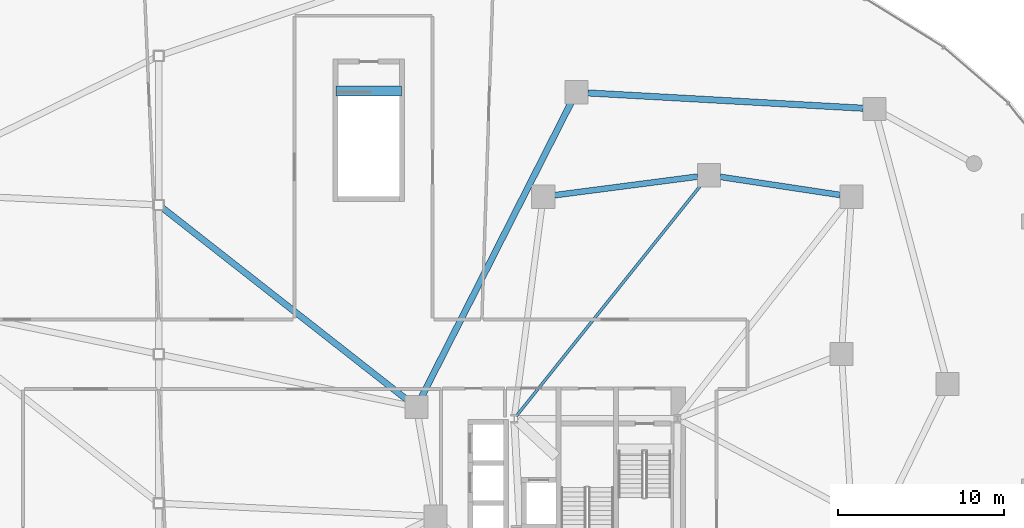
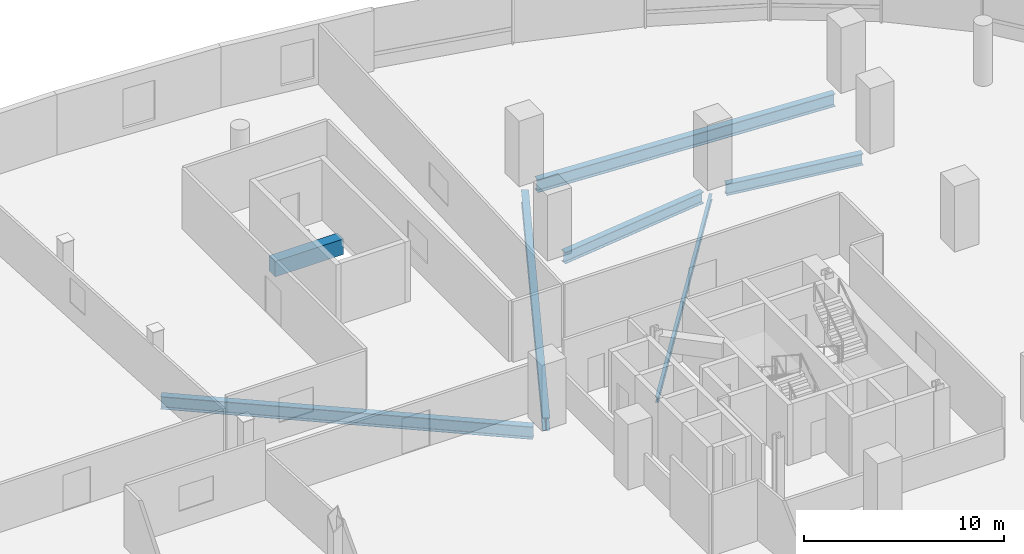
# One storey, part 9 of 18: 7 beams.
"""IFC4 building model written with IfcOpenShell, lengths in metres."""

import ifcopenshell
import ifcopenshell.guid

model = None  # the IFC model being written
_history = None  # IfcOwnerHistory: only IFC2X3 demands one
_inside = {}  # id of a spatial element -> (the spatial element, [elements in it])
_under = {}  # id of a project, library or spatial element -> (it, [spatial elements below it])
_declared = {}  # id of a project -> (the project, [libraries it declares])
_typed = {}  # id of a type object -> (the type object, [elements of that type])
_made_of = {}  # id of a material, layer set ... -> (it, [elements and type objects made of it])


def new_model(schema):
    """Start an empty IFC model of exactly this schema.

    Asked for "IFC4X3", IfcOpenShell would pick the latest addendum, in which some entities
    have other attributes; the version numbers below select the first issue.
    IFC2X3 requires an IfcOwnerHistory on every rooted entity: one is made here for all.
    """
    global model, _history
    if schema == "IFC4X3":
        model = ifcopenshell.file(schema_version=(4, 3, 0, 0))
    else:
        model = ifcopenshell.file(schema=schema)
    _inside.clear()
    _under.clear()
    _declared.clear()
    _typed.clear()
    _made_of.clear()
    _history = None
    if model.schema == "IFC2X3":
        org = make("IfcOrganization", Name="unknown")
        user = make(
            "IfcPersonAndOrganization",
            ThePerson=make("IfcPerson", FamilyName="unknown"),
            TheOrganization=org,
        )
        app = make(
            "IfcApplication",
            ApplicationDeveloper=org,
            Version="unknown",
            ApplicationFullName="unknown",
            ApplicationIdentifier="unknown",
        )
        _history = make(
            "IfcOwnerHistory",
            OwningUser=user,
            OwningApplication=app,
            ChangeAction="ADDED",
            CreationDate=0,
        )
    return model


def make(cls, **values):
    """One entity of the class cls with the attributes given. An attribute that is None is left unset."""
    return model.create_entity(
        cls, **{name: value for name, value in values.items() if value is not None}
    )


def rooted(cls, **values):
    """An entity with a GlobalId (a new one), such as an element, a storey or a relation."""
    return make(cls, GlobalId=ifcopenshell.guid.new(), OwnerHistory=_history, **values)


def si_unit(unit_type, name, prefix=None):
    """IfcSIUnit, for example si_unit("LENGTHUNIT", "METRE", prefix="MILLI")."""
    return make("IfcSIUnit", UnitType=unit_type, Prefix=prefix, Name=name)


def assignment(units):
    """IfcUnitAssignment: the units of a project."""
    return None if units is None else make("IfcUnitAssignment", Units=units)


def point(xyz):
    """IfcCartesianPoint."""
    return None if xyz is None else make("IfcCartesianPoint", Coordinates=xyz)


def direction(xyz):
    """IfcDirection."""
    return None if xyz is None else make("IfcDirection", DirectionRatios=xyz)


def frame(location, z_axis=None, x_axis=None):
    """IfcAxis2Placement3D, a coordinate frame: its origin and axes. An axis left out is left unset."""
    return make(
        "IfcAxis2Placement3D",
        Location=point(location),
        Axis=direction(z_axis),
        RefDirection=direction(x_axis),
    )


def frame_2d(location, x_axis=None):
    """IfcAxis2Placement2D, a coordinate frame in the plane: its origin and x axis."""
    return make(
        "IfcAxis2Placement2D", Location=point(location), RefDirection=direction(x_axis)
    )


def origin():
    """The frame at (0, 0, 0) with its axes left unset."""
    return frame((0.0, 0.0, 0.0))


def origin_2d():
    """The frame at (0, 0) in the plane with its x axis left unset."""
    return frame_2d((0.0, 0.0))


def place(relative_to, where):
    """IfcLocalPlacement: puts the frame where relative to a parent placement (None: the world)."""
    return make(
        "IfcLocalPlacement", PlacementRelTo=relative_to, RelativePlacement=where
    )


def context(
    kind, dimensions, precision=None, world=None, true_north=None, identifier=None
):
    """IfcGeometricRepresentationContext, for example the 3D "Model" context."""
    return make(
        "IfcGeometricRepresentationContext",
        ContextIdentifier=identifier,
        ContextType=kind,
        CoordinateSpaceDimension=dimensions,
        Precision=precision,
        WorldCoordinateSystem=world,
        TrueNorth=true_north,
    )


def subcontext(parent, identifier, kind, view, scale=None):
    """IfcGeometricRepresentationSubContext, for example "Body" below "Model"."""
    return make(
        "IfcGeometricRepresentationSubContext",
        ContextIdentifier=identifier,
        ContextType=kind,
        ParentContext=parent,
        TargetScale=scale,
        TargetView=view,
    )


def project(units=None, contexts=None):
    """IfcProject with its units and contexts."""
    return rooted(
        "IfcProject",
        Name="project",
        RepresentationContexts=contexts,
        UnitsInContext=assignment(units),
    )


def spatial(cls, under=None, at=None, **own):
    """A site, building, storey or space (cls), placed at a placement, below another one or the project."""
    s = rooted(cls, ObjectPlacement=at, **own)
    if under is not None:
        _under.setdefault(under.id(), (under, []))[1].append(s)
    return s


def profile(cls, at=None, kind="AREA", **sizes):
    """A parametric profile (cls). Its sizes go by their IFC names, for example OverallWidth=200.0."""
    return make(cls, ProfileType=kind, Position=at, **sizes)


def rectangle(**sizes):
    """IfcRectangleProfileDef."""
    return profile("IfcRectangleProfileDef", **sizes)


def i_section(**sizes):
    """IfcIShapeProfileDef."""
    return profile("IfcIShapeProfileDef", **sizes)


def extrude(swept, where, along, depth):
    """IfcExtrudedAreaSolid: the profile swept, set in the frame where, extruded along a direction by depth."""
    return make(
        "IfcExtrudedAreaSolid",
        SweptArea=swept,
        Position=where,
        ExtrudedDirection=direction(along),
        Depth=depth,
    )


def shape(context_of_items, identifier, shape_type, items):
    """IfcShapeRepresentation: the items that make up one representation, for example the "Body"."""
    return make(
        "IfcShapeRepresentation",
        ContextOfItems=context_of_items,
        RepresentationIdentifier=identifier,
        RepresentationType=shape_type,
        Items=items,
    )


def material(Name=None, Category=None):
    """IfcMaterial."""
    return make("IfcMaterial", Name=Name, Category=Category)


def material_profile(
    of_material, cross_section, Name=None, Category=None, Priority=None
):
    """IfcMaterialProfile: a cross section and its material."""
    return make(
        "IfcMaterialProfile",
        Name=Name,
        Material=of_material,
        Profile=cross_section,
        Priority=Priority,
        Category=Category,
    )


def profile_set(profiles, Name=None, composite=None):
    """IfcMaterialProfileSet."""
    return make(
        "IfcMaterialProfileSet",
        Name=Name,
        MaterialProfiles=profiles,
        CompositeProfile=composite,
    )


def made_of(thing, what):
    """Note that an element or type object is made of a material, layer set ...; save() writes the relation."""
    if what is not None:
        _made_of.setdefault(what.id(), (what, []))[1].append(thing)
    return thing


def type_object(cls, material=None, **own):
    """A type object (cls), such as IfcWallType, which elements share."""
    return made_of(rooted(cls, **own), material)


def element(
    cls,
    number,
    at=None,
    inside=None,
    cuts=None,
    type_object=None,
    material=None,
    context=None,
    identifier="Body",
    shape_type=None,
    held_by="IfcProductDefinitionShape",
    body=None,
    shapes=None,
    **own,
):
    """One element of the class cls, such as IfcWall. Its Tag is "e" and its number.

    at: its placement. inside: the storey or other place that contains it. cuts: it is an
    opening in that element (IfcRelVoidsElement). A single representation is given by context,
    identifier, shape_type and body (its items); several are given by shapes. held_by: the class
    of the entity that holds the representations. save() writes the other relations.
    """
    e = rooted(cls, Tag="e%d" % number, ObjectPlacement=at, **own)
    if body is not None:
        shapes = [shape(context, identifier, shape_type, body)]
    if shapes is not None:
        e.Representation = make(held_by, Representations=shapes)
    if inside is not None:
        _inside.setdefault(inside.id(), (inside, []))[1].append(e)
    if cuts is not None:
        rooted(
            "IfcRelVoidsElement", RelatingBuildingElement=cuts, RelatedOpeningElement=e
        )
    if type_object is not None:
        _typed.setdefault(type_object.id(), (type_object, []))[1].append(e)
    return made_of(e, material)


def aggregate(whole, parts):
    """IfcRelAggregates: a whole, such as a stair, and the parts it consists of."""
    return rooted("IfcRelAggregates", RelatingObject=whole, RelatedObjects=parts)


def save(model, path):
    """Write the relations noted so far, then the file.

    IfcRelAggregates (storeys below a building ...), IfcRelContainedInSpatialStructure (elements
    in a storey), IfcRelDefinesByType, IfcRelAssociatesMaterial and IfcRelDeclares: one each for
    every whole, place, type object, material and project.
    """
    for whole, parts in _under.values():
        aggregate(whole, parts)
    for where, things in _inside.values():
        rooted(
            "IfcRelContainedInSpatialStructure",
            RelatedElements=things,
            RelatingStructure=where,
        )
    for kind, things in _typed.values():
        rooted("IfcRelDefinesByType", RelatedObjects=things, RelatingType=kind)
    for what, things in _made_of.values():
        rooted("IfcRelAssociatesMaterial", RelatedObjects=things, RelatingMaterial=what)
    for by, libraries in _declared.values():
        rooted("IfcRelDeclares", RelatingContext=by, RelatedDefinitions=libraries)
    model.write(path)


model = new_model("IFC4")

# Units and contexts
model_context = context("Model", 3, precision=1e-05, world=origin(), true_north=direction((0.0, 1.0)))
body_context = subcontext(model_context, "Body", "Model", "MODEL_VIEW")
ifc_project = project(units=[si_unit("LENGTHUNIT", "METRE"), si_unit("AREAUNIT", "SQUARE_METRE"), si_unit("VOLUMEUNIT", "CUBIC_METRE"), si_unit("PLANEANGLEUNIT", "RADIAN"), si_unit("MASSUNIT", "GRAM", prefix="KILO"), si_unit("THERMODYNAMICTEMPERATUREUNIT", "KELVIN"), si_unit("POWERUNIT", "WATT")], contexts=[model_context])

# Site, building, storey
site_placement = place(None, origin())
site = spatial("IfcSite", under=ifc_project, at=site_placement, CompositionType="ELEMENT")
building_placement = place(site_placement, origin())
building = spatial("IfcBuilding", under=site, at=building_placement, Name="Cundina Bronze Exchange", CompositionType="ELEMENT")
storey_placement = place(building_placement, frame((0.0, 0.0, 20.0)))
storey = spatial("IfcBuildingStorey", under=building, at=storey_placement, Name="L04", CompositionType="ELEMENT", Elevation=20.0)

# Beams
ifc_material_1 = material(Name="Concrete C60/75", Category="concrete")
ifc_material_profile_1 = material_profile(ifc_material_1, rectangle(XDim=0.60009765625, YDim=0.949951171875, at=origin_2d()), Name="RC600X950", Category="concrete")
ifc_profile_set_1 = profile_set([ifc_material_profile_1], Name="Concrete C60/75")
beam_type_1 = type_object("IfcBeamType", Name="BM-COUP-RC950", PredefinedType="LINTEL", material=ifc_profile_set_1)
beam_1_placement = place(storey_placement, frame((10.699951171875, 15.8701171875, -0.47509765625), z_axis=(1.0, 0.0, 0.0), x_axis=(0.0, 1.0, 0.0)))
element("IfcBeam", 1, at=beam_1_placement, inside=storey, type_object=beam_type_1, Name="L04 Concourse Stair E Landing Header Beam", PredefinedType="LINTEL", context=body_context, shape_type="SweptSolid", body=[
    extrude(rectangle(XDim=0.60009765625, YDim=0.949951171875, at=origin_2d()), origin(), (0.0, 0.0, 1.0), 3.93994140625),
])
ifc_material_2 = material(Name="Steel ASTM A992 Grade 50", Category="steel")
ifc_material_profile_2 = material_profile(ifc_material_2, i_section(OverallWidth=0.172119140625, OverallDepth=0.35791015625, WebThickness=0.0078125, FlangeThickness=0.01318359375, FilletRadius=0.010009765625, at=origin_2d()), Name="W14X38", Category="steel")
ifc_profile_set_2 = profile_set([ifc_material_profile_2], Name="Steel ASTM A992 Grade 50")
beam_type_2 = type_object("IfcBeamType", Name="BM-JST-W14", PredefinedType="JOIST", material=ifc_profile_set_2)
beam_2_placement = place(storey_placement, frame((21.577392578125, -3.740478515625, -0.529052734375), z_axis=(0.624374458297, 0.781125172957, 0.0), x_axis=(-0.781125172957, 0.624374458297, 0.0)))
element("IfcBeam", 2, at=beam_2_placement, inside=storey, type_object=beam_type_2, Name="L04 E Interior Core-to-Ring Joist 2", PredefinedType="JOIST", context=body_context, shape_type="SweptSolid", body=[
    extrude(i_section(OverallWidth=0.172119140625, OverallDepth=0.35791015625, WebThickness=0.0078125, FlangeThickness=0.01318359375, FilletRadius=0.010009765625, at=origin_2d()), origin(), (0.0, 0.0, 1.0), 17.927001953125),
])
ifc_material_profile_3 = material_profile(ifc_material_2, i_section(OverallWidth=0.35498046875, OverallDepth=0.695068359375, WebThickness=0.015380859375, FlangeThickness=0.02490234375, FilletRadius=0.01806640625, at=origin_2d()), Name="W27X146", Category="steel")
ifc_profile_set_3 = profile_set([ifc_material_profile_3], Name="Steel ASTM A992 Grade 50")
beam_type_3 = type_object("IfcBeamType", Name="BM-RING-W27", PredefinedType="USERDEFINED", material=ifc_profile_set_3)
beam_3_placement = place(storey_placement, frame((41.11962890625, 9.602783203125, -0.697509765625), z_axis=(-0.988763496177, 0.149488289268, 0.0), x_axis=(-0.149488289268, -0.988763496177, 0.0)))
element("IfcBeam", 3, at=beam_3_placement, inside=storey, type_object=beam_type_3, Name="L04 E Inner Structural Ring Girder 05", ObjectType="GIRDER", PredefinedType="USERDEFINED", context=body_context, shape_type="SweptSolid", body=[
    extrude(i_section(OverallWidth=0.35498046875, OverallDepth=0.695068359375, WebThickness=0.015380859375, FlangeThickness=0.02490234375, FilletRadius=0.01806640625, at=origin_2d()), origin(), (0.0, 0.0, 1.0), 7.321533203125),
])
beam_4_placement = place(storey_placement, frame((32.517578125, 10.711181640625, -0.697509765625), z_axis=(-0.991655975758, -0.128912473185, 0.0), x_axis=(0.128912473185, -0.991655975758, 0.0)))
element("IfcBeam", 4, at=beam_4_placement, inside=storey, type_object=beam_type_3, Name="L04 E Inner Structural Ring Girder 06", ObjectType="GIRDER", PredefinedType="USERDEFINED", context=body_context, shape_type="SweptSolid", body=[
    extrude(i_section(OverallWidth=0.35498046875, OverallDepth=0.695068359375, WebThickness=0.015380859375, FlangeThickness=0.02490234375, FilletRadius=0.01806640625, at=origin_2d()), origin(), (0.0, 0.0, 1.0), 8.7080078125),
])
ifc_material_profile_4 = material_profile(ifc_material_2, i_section(OverallWidth=0.381103515625, OverallDepth=0.77294921875, WebThickness=0.0166015625, FlangeThickness=0.027099609375, FilletRadius=0.01904296875, at=origin_2d()), Name="W30X173", Category="steel")
ifc_profile_set_4 = profile_set([ifc_material_profile_4], Name="Steel ASTM A992 Grade 50")
beam_type_4 = type_object("IfcBeamType", Name="BM-RING-W30", PredefinedType="USERDEFINED", material=ifc_profile_set_4)
beam_5_placement = place(storey_placement, frame((0.2265625, 8.822265625, -0.736572265625), z_axis=(0.786756409396, -0.617263600316, 0.0), x_axis=(0.617263600316, 0.786756409396, 0.0)))
element("IfcBeam", 5, at=beam_5_placement, inside=storey, type_object=beam_type_4, Name="L04 Concourse East Span Girder 04", ObjectType="GIRDER", PredefinedType="USERDEFINED", context=body_context, shape_type="SweptSolid", body=[
    extrude(i_section(OverallWidth=0.381103515625, OverallDepth=0.77294921875, WebThickness=0.0166015625, FlangeThickness=0.027099609375, FilletRadius=0.01904296875, at=origin_2d()), origin(), (0.0, 0.0, 1.0), 18.788818359375),
])
beam_6_placement = place(storey_placement, frame((42.51318359375, 14.838134765625, -0.736572265625), z_axis=(-0.998460668975, 0.055464335483, 0.0), x_axis=(-0.055464335483, -0.998460668975, 0.0)))
element("IfcBeam", 6, at=beam_6_placement, inside=storey, type_object=beam_type_4, Name="L04 E Podium Ring Girder 10", ObjectType="GIRDER", PredefinedType="USERDEFINED", context=body_context, shape_type="SweptSolid", body=[
    extrude(i_section(OverallWidth=0.381103515625, OverallDepth=0.77294921875, WebThickness=0.0166015625, FlangeThickness=0.027099609375, FilletRadius=0.01904296875, at=origin_2d()), origin(), (0.0, 0.0, 1.0), 16.65185546875),
])
beam_7_placement = place(storey_placement, frame((24.888427734375, 15.1865234375, -0.736572265625), z_axis=(-0.452833622724, -0.891595037072, 0.0), x_axis=(0.891595037072, -0.452833622724, 0.0)))
element("IfcBeam", 7, at=beam_7_placement, inside=storey, type_object=beam_type_4, Name="L04 E Podium Ring Girder 12", ObjectType="GIRDER", PredefinedType="USERDEFINED", context=body_context, shape_type="SweptSolid", body=[
    extrude(i_section(OverallWidth=0.381103515625, OverallDepth=0.77294921875, WebThickness=0.0166015625, FlangeThickness=0.027099609375, FilletRadius=0.01904296875, at=origin_2d()), origin(), (0.0, 0.0, 1.0), 19.93408203125),
])

save(model, "model.ifc")
